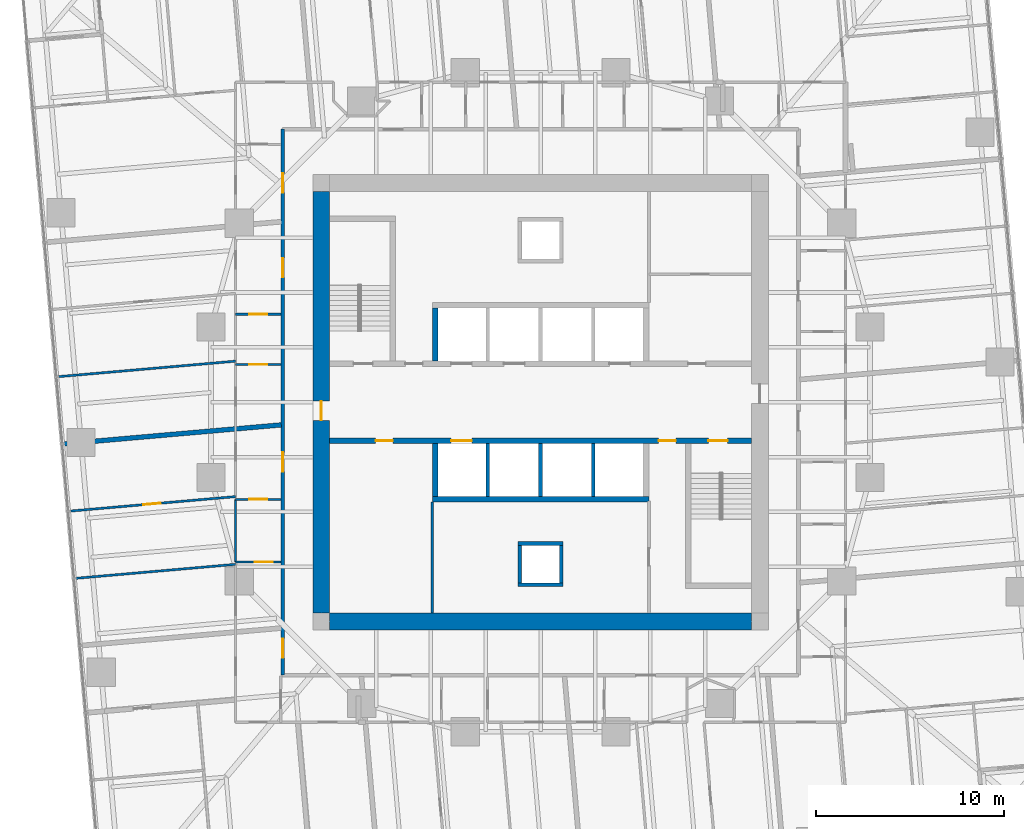
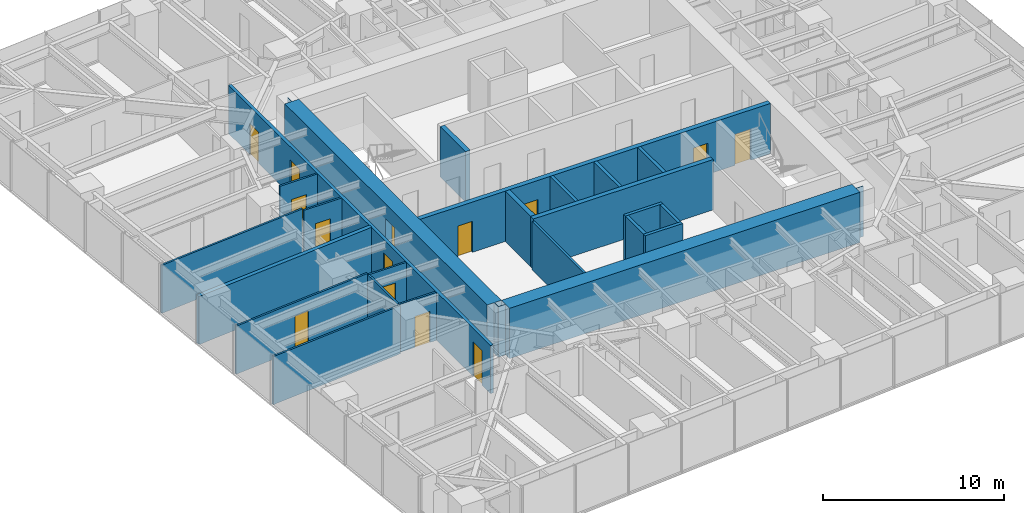
# One storey, part 9 of 14: 24 walls, 14 doors, 14 openings.
"""IFC4 building model written with IfcOpenShell, lengths in metres."""

from ifc_helpers import new_model, si_unit, direction, frame, frame_2d, origin, place, context, subcontext, project, spatial, polyline, rectangle, outline, extrude, material, layer, layer_set, type_object, element, fill, save


model = new_model("IFC4")

# Units and contexts
model_context = context("Model", 3, precision=1e-05, world=origin(), true_north=direction((0.0, 1.0)))
body_context = subcontext(model_context, "Body", "Model", "MODEL_VIEW")
ifc_project = project(units=[si_unit("LENGTHUNIT", "METRE"), si_unit("AREAUNIT", "SQUARE_METRE"), si_unit("VOLUMEUNIT", "CUBIC_METRE"), si_unit("PLANEANGLEUNIT", "RADIAN"), si_unit("MASSUNIT", "GRAM", prefix="KILO")], contexts=[model_context])

# Site, building, storey
site_placement = place(None, origin())
site = spatial("IfcSite", under=ifc_project, at=site_placement, CompositionType="ELEMENT")
building_placement = place(site_placement, origin())
building = spatial("IfcBuilding", under=site, at=building_placement, Name="Torsade Residences", CompositionType="ELEMENT")
storey_placement = place(building_placement, frame((0.0, 0.0, 57.39990234375)))
storey = spatial("IfcBuildingStorey", under=building, at=storey_placement, Name="L15", CompositionType="ELEMENT", Elevation=57.39990234375)

# Wall, openings, doors
ifc_material_1 = material(Name="Concrete 80 MPa", Category="concrete")
ifc_layer_1 = layer(ifc_material_1, 0.300048828125)
ifc_layer_set_1 = layer_set([ifc_layer_1], Name="Concrete 80 MPa")
wall_type_1 = type_object("IfcWallType", Name="CORE INTERNAL WALL 300", PredefinedType="SHEAR", material=ifc_layer_set_1)
wall_1_placement = place(storey_placement, frame((51.199951171875, 27.949951171875, 0.0), z_axis=(0.0, 0.0, 1.0), x_axis=(-1.0, 0.0, 0.0)))
wall_1 = element("IfcWall", 1, at=wall_1_placement, inside=storey, type_object=wall_type_1, Name="Core wall LS L15", PredefinedType="SHEAR", context=body_context, shape_type="SweptSolid", body=[
    extrude(rectangle(XDim=22.39990234375, YDim=0.300048828125, at=frame_2d((11.199951171875, 0.0))), origin(), (0.0, 0.0, 1.0), 3.400146484375),
])
opening_1_placement = place(wall_1_placement, frame((19.0400390625, 0.0, 0.0)))
opening_1 = element("IfcOpeningElement", 2, at=opening_1_placement, cuts=wall_1, Name="Opening D06", PredefinedType="OPENING", context=body_context, shape_type="SweptSolid", body=[
    extrude(rectangle(XDim=0.919921875, YDim=2.10009765625, at=frame_2d((0.4599609375, 1.050048828125))), frame((0.0, 0.159912109375, 0.0), z_axis=(0.0, -1.0, 0.0), x_axis=(1.0, 0.0, 0.0)), (0.0, 0.0, 1.0), 0.320068359375),
])
opening_2_placement = place(wall_1_placement, frame((1.264892578125, 0.0, 0.0)))
opening_2 = element("IfcOpeningElement", 3, at=opening_2_placement, cuts=wall_1, Name="Opening D03", PredefinedType="OPENING", context=body_context, shape_type="SweptSolid", body=[
    extrude(rectangle(XDim=1.02001953125, YDim=2.10009765625, at=frame_2d((0.510009765625, 1.050048828125))), frame((0.0, 0.159912109375, 0.0), z_axis=(0.0, -1.0, 0.0), x_axis=(1.0, 0.0, 0.0)), (0.0, 0.0, 1.0), 0.320068359375),
])
opening_3_placement = place(wall_1_placement, frame((4.014892578125, 0.0, 0.0)))
opening_3 = element("IfcOpeningElement", 4, at=opening_3_placement, cuts=wall_1, Name="Opening D06", PredefinedType="OPENING", context=body_context, shape_type="SweptSolid", body=[
    extrude(rectangle(XDim=0.919921875, YDim=2.10009765625, at=frame_2d((0.4599609375, 1.050048828125))), frame((0.0, 0.159912109375, 0.0), z_axis=(0.0, -1.0, 0.0), x_axis=(1.0, 0.0, 0.0)), (0.0, 0.0, 1.0), 0.320068359375),
])
opening_4_placement = place(wall_1_placement, frame((14.85009765625, 0.0, 0.0)))
opening_4 = element("IfcOpeningElement", 5, at=opening_4_placement, cuts=wall_1, Name="Opening LD", PredefinedType="OPENING", context=body_context, shape_type="SweptSolid", body=[
    extrude(rectangle(XDim=1.10009765625, YDim=2.10009765625, at=frame_2d((0.550048828125, 1.050048828125))), frame((0.0, 0.159912109375, 0.0), z_axis=(0.0, -1.0, 0.0), x_axis=(1.0, 0.0, 0.0)), (0.0, 0.0, 1.0), 0.320068359375),
])
ifc_material_2 = material(Name="Steel-framed fire door", Category="steel")
door_type_1 = type_object("IfcDoorType", Name="FIRE DOOR 1020", OperationType="NOTDEFINED", PredefinedType="DOOR", material=ifc_material_2)
door_1_placement = place(opening_2_placement, origin())
door_1 = element("IfcDoor", 6, at=door_1_placement, inside=storey, type_object=door_type_1, Name="Exit door to fire-isolated stair ST2 L15", OperationType="SINGLE_SWING_RIGHT", OverallHeight=2.10009765625, OverallWidth=1.02001953125, PredefinedType="DOOR", context=body_context, shape_type="SweptSolid", body=[
    extrude(rectangle(XDim=1.02001953125, YDim=2.10009765625, at=frame_2d((0.510009765625, 1.050048828125))), frame((0.0, 0.02490234375, 0.0), z_axis=(0.0, -1.0, 0.0), x_axis=(1.0, 0.0, 0.0)), (0.0, 0.0, 1.0), 0.050048828125),
])
fill(opening_2, door_1)
ifc_material_3 = material(Name="Steel-framed fire door", Category="steel")
door_type_2 = type_object("IfcDoorType", Name="FIRE DOOR 920", OperationType="NOTDEFINED", PredefinedType="DOOR", material=ifc_material_3)
door_2_placement = place(opening_1_placement, origin())
door_2 = element("IfcDoor", 7, at=door_2_placement, inside=storey, type_object=door_type_2, Name="Door Lift lobby to Cleaner store", OperationType="SINGLE_SWING_LEFT", OverallHeight=2.10009765625, OverallWidth=0.919921875, PredefinedType="DOOR", context=body_context, shape_type="SweptSolid", body=[
    extrude(rectangle(XDim=0.919921875, YDim=2.10009765625, at=frame_2d((0.4599609375, 1.050048828125))), frame((0.0, 0.02490234375, 0.0), z_axis=(0.0, -1.0, 0.0), x_axis=(1.0, 0.0, 0.0)), (0.0, 0.0, 1.0), 0.050048828125),
])
fill(opening_1, door_2)
door_3_placement = place(opening_3_placement, origin())
door_3 = element("IfcDoor", 8, at=door_3_placement, inside=storey, type_object=door_type_2, Name="Door Lift lobby to Security and data store", OperationType="SINGLE_SWING_RIGHT", OverallHeight=2.10009765625, OverallWidth=0.919921875, PredefinedType="DOOR", context=body_context, shape_type="SweptSolid", body=[
    extrude(rectangle(XDim=0.919921875, YDim=2.10009765625, at=frame_2d((0.4599609375, 1.050048828125))), frame((0.0, 0.02490234375, 0.0), z_axis=(0.0, -1.0, 0.0), x_axis=(1.0, 0.0, 0.0)), (0.0, 0.0, 1.0), 0.050048828125),
])
fill(opening_3, door_3)
ifc_material_4 = material(Name="Stainless steel lift landing door", Category="steel")
door_type_3 = type_object("IfcDoorType", Name="LIFT LANDING DOOR 1100", OperationType="SLIDING_TO_LEFT", PredefinedType="DOOR", material=ifc_material_4)
door_4_placement = place(opening_4_placement, origin())
door_4 = element("IfcDoor", 9, at=door_4_placement, inside=storey, type_object=door_type_3, Name="Lift FL2 landing door L15", OperationType="SLIDING_TO_LEFT", OverallHeight=2.10009765625, OverallWidth=1.10009765625, PredefinedType="DOOR", context=body_context, shape_type="SweptSolid", body=[
    extrude(rectangle(XDim=1.10009765625, YDim=2.10009765625, at=frame_2d((0.550048828125, 1.050048828125))), frame((0.0, 0.02490234375, 0.0), z_axis=(0.0, -1.0, 0.0), x_axis=(1.0, 0.0, 0.0)), (0.0, 0.0, 1.0), 0.050048828125),
])
fill(opening_4, door_4)

# Walls
wall_2_placement = place(storey_placement, frame((45.75, 24.85009765625, 0.0), z_axis=(0.0, 0.0, 1.0), x_axis=(-1.0, 0.0, 0.0)))
element("IfcWall", 10, at=wall_2_placement, inside=storey, type_object=wall_type_1, Name="Core wall BS L15", PredefinedType="SHEAR", context=body_context, shape_type="SweptSolid", body=[
    extrude(rectangle(XDim=11.5, YDim=0.300048828125, at=frame_2d((5.75, 0.0))), origin(), (0.0, 0.0, 1.0), 3.400146484375),
])
for number, where, z_axis, x_axis, name in (
    (11, (34.39990234375, 32.199951171875, 0.0), (0.0, 0.0, 1.0), (0.0, 1.0, 0.0), "Core wall DN0 L15"),
    (12, (34.39990234375, 27.800048828125, 0.0), (0.0, 0.0, 1.0), (0.0, -1.0, 0.0), "Core wall DS4 L15"),
):
    element("IfcWall", number, at=place(storey_placement, frame(where, z_axis=z_axis, x_axis=x_axis)), inside=storey, type_object=wall_type_1, Name=name, PredefinedType="SHEAR", context=body_context, shape_type="SweptSolid", body=[
        extrude(rectangle(XDim=2.800048828125, YDim=0.300048828125, at=frame_2d((1.39990234375, 0.0))), origin(), (0.0, 0.0, 1.0), 3.400146484375),
    ])
ifc_material_5 = material(Name="Concrete 80 MPa", Category="concrete")
ifc_layer_2 = layer(ifc_material_5, 0.89990234375)
ifc_layer_set_2 = layer_set([ifc_layer_2], Name="Concrete 80 MPa")
wall_type_2 = type_object("IfcWallType", Name="CORE WALL 900", PredefinedType="SHEAR", material=ifc_layer_set_2)
wall_3_placement = place(storey_placement, frame((51.199951171875, 18.35009765625, 0.0), z_axis=(0.0, 0.0, 1.0), x_axis=(-1.0, 0.0, 0.0)))
element("IfcWall", 13, at=wall_3_placement, inside=storey, type_object=wall_type_2, Name="Core wall S L15", PredefinedType="SHEAR", context=body_context, shape_type="SweptSolid", body=[
    extrude(outline(polyline([(0.0, -0.449951171875), (22.39990234375, -0.449951171875), (22.39990234375, -0.02490234375), (22.849853515625, -0.02490234375), (22.849853515625, 0.02490234375), (22.39990234375, 0.02490234375), (22.39990234375, 0.449951171875), (0.0, 0.449951171875), (0.0, 0.02490234375), (-0.449951171875, 0.02490234375), (-0.449951171875, -0.02490234375), (0.0, -0.02490234375), (0.0, -0.449951171875)])), origin(), (0.0, 0.0, 1.0), 3.400146484375),
])

# Wall, opening, door
wall_4_placement = place(storey_placement, frame((28.35009765625, 41.199951171875, 0.0), z_axis=(0.0, 0.0, 1.0), x_axis=(0.0, -1.0, 0.0)))
wall_4 = element("IfcWall", 14, at=wall_4_placement, inside=storey, type_object=wall_type_2, Name="Core wall W L15", PredefinedType="SHEAR", context=body_context, shape_type="SweptSolid", body=[
    extrude(outline(polyline([(0.0, -0.449951171875), (22.39990234375, -0.449951171875), (22.39990234375, -0.02490234375), (22.849853515625, -0.02490234375), (22.849853515625, 0.02490234375), (22.39990234375, 0.02490234375), (22.39990234375, 0.449951171875), (0.0, 0.449951171875), (0.0, 0.02490234375), (-0.449951171875, 0.02490234375), (-0.449951171875, -0.02490234375), (0.0, -0.02490234375), (0.0, -0.449951171875)])), origin(), (0.0, 0.0, 1.0), 3.400146484375),
])
opening_5_placement = place(wall_4_placement, frame((11.139892578125, 0.0, 0.0)))
opening_5 = element("IfcOpeningElement", 15, at=opening_5_placement, cuts=wall_4, Name="Opening D04", PredefinedType="OPENING", context=body_context, shape_type="SweptSolid", body=[
    extrude(rectangle(XDim=1.02001953125, YDim=2.39990234375, at=frame_2d((0.510009765625, 1.199951171875))), frame((0.0, 0.4599609375, 0.0), z_axis=(0.0, -1.0, 0.0), x_axis=(1.0, 0.0, 0.0)), (0.0, 0.0, 1.0), 0.919921875),
])
ifc_material_6 = material(Name="Steel-framed fire door", Category="steel")
door_type_4 = type_object("IfcDoorType", Name="LOBBY SMOKE DOOR 1020x2400", OperationType="NOTDEFINED", PredefinedType="DOOR", material=ifc_material_6)
door_5_placement = place(opening_5_placement, origin())
door_5 = element("IfcDoor", 16, at=door_5_placement, inside=storey, type_object=door_type_4, Name="Lift lobby door W L15", OperationType="SINGLE_SWING_RIGHT", OverallHeight=2.39990234375, OverallWidth=1.02001953125, PredefinedType="DOOR", context=body_context, shape_type="SweptSolid", body=[
    extrude(rectangle(XDim=1.02001953125, YDim=2.39990234375, at=frame_2d((0.510009765625, 1.199951171875))), frame((0.0, 0.02490234375, 0.0), z_axis=(0.0, -1.0, 0.0), x_axis=(1.0, 0.0, 0.0)), (0.0, 0.0, 1.0), 0.050048828125),
])
fill(opening_5, door_5)

# Wall, openings, doors
ifc_material_7 = material(Name="Plasterboard on steel stud", Category="steel")
ifc_layer_3 = layer(ifc_material_7, 0.199951171875)
ifc_layer_set_3 = layer_set([ifc_layer_3], Name="Plasterboard on steel stud")
wall_type_3 = type_object("IfcWallType", Name="CORRIDOR WALL 200", PredefinedType="PARTITIONING", material=ifc_layer_set_3)
wall_5_placement = place(storey_placement, frame((26.300048828125, 44.5, 0.0), z_axis=(0.0, 0.0, 1.0), x_axis=(0.0, -1.0, 0.0)))
wall_5 = element("IfcWall", 17, at=wall_5_placement, inside=storey, type_object=wall_type_3, Name="Corridor wall L15", PredefinedType="PARTITIONING", context=body_context, shape_type="SweptSolid", body=[
    extrude(rectangle(XDim=29.0, YDim=0.199951171875, at=frame_2d((14.5, 0.0))), origin(), (0.0, 0.0, 1.0), 3.25),
])
opening_6_placement = place(wall_5_placement, frame((6.849609375, 0.0, 0.0)))
opening_6 = element("IfcOpeningElement", 18, at=opening_6_placement, cuts=wall_5, Name="Opening D01", PredefinedType="OPENING", context=body_context, shape_type="SweptSolid", body=[
    extrude(rectangle(XDim=1.02001953125, YDim=2.340087890625, at=frame_2d((0.510009765625, 1.169921875))), frame((0.0, 0.10986328125, 0.0), z_axis=(0.0, -1.0, 0.0), x_axis=(1.0, 0.0, 0.0)), (0.0, 0.0, 1.0), 0.219970703125),
])
opening_7_placement = place(wall_5_placement, frame((2.344970703125, 0.0, 0.0)))
opening_7 = element("IfcOpeningElement", 19, at=opening_7_placement, cuts=wall_5, Name="Opening D01L", PredefinedType="OPENING", context=body_context, shape_type="SweptSolid", body=[
    extrude(rectangle(XDim=1.02001953125, YDim=2.10009765625, at=frame_2d((0.510009765625, 1.050048828125))), frame((0.0, 0.10986328125, 0.0), z_axis=(0.0, -1.0, 0.0), x_axis=(1.0, 0.0, 0.0)), (0.0, 0.0, 1.0), 0.219970703125),
])
opening_8_placement = place(wall_5_placement, frame((17.165771484375, 0.0, 0.0)))
opening_8 = element("IfcOpeningElement", 20, at=opening_8_placement, cuts=wall_5, Name="Opening D01", PredefinedType="OPENING", context=body_context, shape_type="SweptSolid", body=[
    extrude(rectangle(XDim=1.02001953125, YDim=2.340087890625, at=frame_2d((0.510009765625, 1.169921875))), frame((0.0, 0.10986328125, 0.0), z_axis=(0.0, -1.0, 0.0), x_axis=(1.0, 0.0, 0.0)), (0.0, 0.0, 1.0), 0.219970703125),
])
opening_9_placement = place(wall_5_placement, frame((27.054931640625, 0.0, 0.0)))
opening_9 = element("IfcOpeningElement", 21, at=opening_9_placement, cuts=wall_5, Name="Opening D01", PredefinedType="OPENING", context=body_context, shape_type="SweptSolid", body=[
    extrude(rectangle(XDim=1.02001953125, YDim=2.340087890625, at=frame_2d((0.510009765625, 1.169921875))), frame((0.0, 0.10986328125, 0.0), z_axis=(0.0, -1.0, 0.0), x_axis=(1.0, 0.0, 0.0)), (0.0, 0.0, 1.0), 0.219970703125),
])
ifc_material_8 = material(Name="Solid-core timber fire door", Category="wood")
door_type_5 = type_object("IfcDoorType", Name="APARTMENT ENTRY DOOR 1020x2100", OperationType="NOTDEFINED", PredefinedType="DOOR", material=ifc_material_8)
door_6_placement = place(opening_7_placement, origin())
door_6 = element("IfcDoor", 22, at=door_6_placement, inside=storey, type_object=door_type_5, Name="Door Residential corridor to Kitchen and dining", OperationType="SINGLE_SWING_LEFT", OverallHeight=2.10009765625, OverallWidth=1.02001953125, PredefinedType="DOOR", context=body_context, shape_type="SweptSolid", body=[
    extrude(rectangle(XDim=1.02001953125, YDim=2.10009765625, at=frame_2d((0.510009765625, 1.050048828125))), frame((0.0, 0.02490234375, 0.0), z_axis=(0.0, -1.0, 0.0), x_axis=(1.0, 0.0, 0.0)), (0.0, 0.0, 1.0), 0.050048828125),
])
fill(opening_7, door_6)
ifc_material_9 = material(Name="Solid-core timber fire door", Category="wood")
door_type_6 = type_object("IfcDoorType", Name="APARTMENT ENTRY DOOR 1020x2340", OperationType="NOTDEFINED", PredefinedType="DOOR", material=ifc_material_9)
door_7_placement = place(opening_6_placement, origin())
door_7 = element("IfcDoor", 23, at=door_7_placement, inside=storey, type_object=door_type_6, Name="Door Residential corridor to Kitchen and dining", OperationType="SINGLE_SWING_LEFT", OverallHeight=2.340087890625, OverallWidth=1.02001953125, PredefinedType="DOOR", context=body_context, shape_type="SweptSolid", body=[
    extrude(rectangle(XDim=1.02001953125, YDim=2.340087890625, at=frame_2d((0.510009765625, 1.169921875))), frame((0.0, 0.02490234375, 0.0), z_axis=(0.0, -1.0, 0.0), x_axis=(1.0, 0.0, 0.0)), (0.0, 0.0, 1.0), 0.050048828125),
])
fill(opening_6, door_7)
door_8_placement = place(opening_8_placement, origin())
door_8 = element("IfcDoor", 24, at=door_8_placement, inside=storey, type_object=door_type_6, Name="Door Residential corridor to Kitchen and dining", OperationType="SINGLE_SWING_LEFT", OverallHeight=2.340087890625, OverallWidth=1.02001953125, PredefinedType="DOOR", context=body_context, shape_type="SweptSolid", body=[
    extrude(rectangle(XDim=1.02001953125, YDim=2.340087890625, at=frame_2d((0.510009765625, 1.169921875))), frame((0.0, 0.02490234375, 0.0), z_axis=(0.0, -1.0, 0.0), x_axis=(1.0, 0.0, 0.0)), (0.0, 0.0, 1.0), 0.050048828125),
])
fill(opening_8, door_8)
door_9_placement = place(opening_9_placement, origin())
door_9 = element("IfcDoor", 25, at=door_9_placement, inside=storey, type_object=door_type_6, Name="Door Residential corridor to Kitchen and dining", OperationType="SINGLE_SWING_RIGHT", OverallHeight=2.340087890625, OverallWidth=1.02001953125, PredefinedType="DOOR", context=body_context, shape_type="SweptSolid", body=[
    extrude(rectangle(XDim=1.02001953125, YDim=2.340087890625, at=frame_2d((0.510009765625, 1.169921875))), frame((0.0, 0.02490234375, 0.0), z_axis=(0.0, -1.0, 0.0), x_axis=(1.0, 0.0, 0.0)), (0.0, 0.0, 1.0), 0.050048828125),
])
fill(opening_9, door_9)

# Walls
ifc_material_10 = material(Name="Reinforced blockwork", Category="masonry")
ifc_layer_4 = layer(ifc_material_10, 0.199951171875)
ifc_layer_set_4 = layer_set([ifc_layer_4], Name="Reinforced blockwork")
wall_type_4 = type_object("IfcWallType", Name="LIFT SHAFT DIVIDING WALL 200", PredefinedType="SOLIDWALL", material=ifc_layer_set_4)
for number, where, z_axis, x_axis, name in (
    (26, (42.800048828125, 27.800048828125, 0.0), (0.0, 0.0, 1.0), (0.0, -1.0, 0.0), "Core wall DS1 L15"),
    (27, (40.0, 27.800048828125, 0.0), (0.0, 0.0, 1.0), (0.0, -1.0, 0.0), "Core wall DS2 L15"),
    (28, (37.199951171875, 27.800048828125, 0.0), (0.0, 0.0, 1.0), (0.0, -1.0, 0.0), "Core wall DS3 L15"),
):
    element("IfcWall", number, at=place(storey_placement, frame(where, z_axis=z_axis, x_axis=x_axis)), inside=storey, type_object=wall_type_4, Name=name, PredefinedType="SOLIDWALL", context=body_context, shape_type="SweptSolid", body=[
        extrude(rectangle(XDim=2.800048828125, YDim=0.199951171875, at=frame_2d((1.39990234375, 0.0))), origin(), (0.0, 0.0, 1.0), 3.400146484375),
    ])

# Wall, opening, door
ifc_material_11 = material(Name="Plasterboard on steel stud", Category="steel")
ifc_layer_5 = layer(ifc_material_11, 0.1201171875)
ifc_layer_set_5 = layer_set([ifc_layer_5], Name="Plasterboard on steel stud")
wall_type_5 = type_object("IfcWallType", Name="PARTITION 120", PredefinedType="PARTITIONING", material=ifc_layer_set_5)
wall_6_placement = place(storey_placement, frame((26.199951171875, 24.837646484375, 0.0), z_axis=(0.0, 0.0, 1.0), x_axis=(-1.0, 0.0, 0.0)))
wall_6 = element("IfcWall", 29, at=wall_6_placement, inside=storey, type_object=wall_type_5, Name="Partition L15", PredefinedType="PARTITIONING", context=body_context, shape_type="SweptSolid", body=[
    extrude(rectangle(XDim=2.39990234375, YDim=0.1201171875, at=frame_2d((1.199951171875, 0.0))), origin(), (0.0, 0.0, 1.0), 3.25),
])
opening_10_placement = place(wall_6_placement, frame((0.719970703125, 0.0, 0.0)))
opening_10 = element("IfcOpeningElement", 30, at=opening_10_placement, cuts=wall_6, Name="Opening D05", PredefinedType="OPENING", context=body_context, shape_type="SweptSolid", body=[
    extrude(rectangle(XDim=0.9599609375, YDim=2.10009765625, at=frame_2d((0.47998046875, 1.050048828125))), frame((0.0, 0.070068359375, 0.0), z_axis=(0.0, -1.0, 0.0), x_axis=(1.0, 0.0, 0.0)), (0.0, 0.0, 1.0), 0.14013671875),
])
ifc_material_12 = material(Name="Hollow-core timber door in a steel cavity frame", Category="steel")
door_type_7 = type_object("IfcDoorType", Name="BATHROOM CAVITY SLIDING DOOR 960", OperationType="SLIDING_TO_LEFT", PredefinedType="DOOR", material=ifc_material_12)
door_10_placement = place(opening_10_placement, origin())
door_10 = element("IfcDoor", 31, at=door_10_placement, inside=storey, type_object=door_type_7, Name="Door Kitchen and dining to Ensuite", OperationType="SLIDING_TO_LEFT", OverallHeight=2.10009765625, OverallWidth=0.9599609375, PredefinedType="DOOR", context=body_context, shape_type="SweptSolid", body=[
    extrude(rectangle(XDim=0.9599609375, YDim=2.10009765625, at=frame_2d((0.47998046875, 1.050048828125))), frame((0.0, 0.02490234375, 0.0), z_axis=(0.0, -1.0, 0.0), x_axis=(1.0, 0.0, 0.0)), (0.0, 0.0, 1.0), 0.050048828125),
])
fill(opening_10, door_10)

wall_7_placement = place(storey_placement, frame((23.800048828125, 21.513916015625, 0.0), z_axis=(0.0, 0.0, 1.0), x_axis=(1.0, 0.0, 0.0)))
wall_7 = element("IfcWall", 32, at=wall_7_placement, inside=storey, type_object=wall_type_5, Name="Partition L15", PredefinedType="PARTITIONING", context=body_context, shape_type="SweptSolid", body=[
    extrude(rectangle(XDim=2.39990234375, YDim=0.1201171875, at=frame_2d((1.199951171875, 0.0))), origin(), (0.0, 0.0, 1.0), 3.25),
])
opening_11_placement = place(wall_7_placement, frame((1.02001953125, 0.0, 0.0)))
opening_11 = element("IfcOpeningElement", 33, at=opening_11_placement, cuts=wall_7, Name="Opening D05", PredefinedType="OPENING", context=body_context, shape_type="SweptSolid", body=[
    extrude(rectangle(XDim=0.9599609375, YDim=2.10009765625, at=frame_2d((0.47998046875, 1.050048828125))), frame((0.0, 0.070068359375, 0.0), z_axis=(0.0, -1.0, 0.0), x_axis=(1.0, 0.0, 0.0)), (0.0, 0.0, 1.0), 0.14013671875),
])
door_11_placement = place(opening_11_placement, origin())
door_11 = element("IfcDoor", 34, at=door_11_placement, inside=storey, type_object=door_type_7, Name="Door Ensuite to Bathroom", OperationType="SLIDING_TO_LEFT", OverallHeight=2.10009765625, OverallWidth=0.9599609375, PredefinedType="DOOR", context=body_context, shape_type="SweptSolid", body=[
    extrude(rectangle(XDim=0.9599609375, YDim=2.10009765625, at=frame_2d((0.47998046875, 1.050048828125))), frame((0.0, 0.02490234375, 0.0), z_axis=(0.0, -1.0, 0.0), x_axis=(1.0, 0.0, 0.0)), (0.0, 0.0, 1.0), 0.050048828125),
])
fill(opening_11, door_11)

# Wall
wall_8_placement = place(storey_placement, frame((23.800048828125, 21.513916015625, 0.0), z_axis=(0.0, 0.0, 1.0), x_axis=(0.0, 1.0, 0.0)))
element("IfcWall", 35, at=wall_8_placement, inside=storey, type_object=wall_type_5, Name="Partition L15", PredefinedType="PARTITIONING", context=body_context, shape_type="SweptSolid", body=[
    extrude(rectangle(XDim=3.32373046875, YDim=0.1201171875, at=frame_2d((1.661865234375, 0.0))), origin(), (0.0, 0.0, 1.0), 3.25),
])

# Wall, opening, door
wall_9_placement = place(storey_placement, frame((23.800048828125, 24.985595703125, 0.0), z_axis=(0.0, 0.0, 1.0), x_axis=(-0.996194045583, -0.087163200634, 0.0)))
wall_9 = element("IfcWall", 36, at=wall_9_placement, inside=storey, type_object=wall_type_5, Name="Partition L15", PredefinedType="PARTITIONING", context=body_context, shape_type="SweptSolid", body=[
    extrude(rectangle(XDim=8.884765625, YDim=0.1201171875, at=frame_2d((4.4423828125, 0.0))), origin(), (0.0, 0.0, 1.0), 3.25),
])
opening_12_placement = place(wall_9_placement, frame((4.002197265625, 0.0, 0.0)))
opening_12 = element("IfcOpeningElement", 37, at=opening_12_placement, cuts=wall_9, Name="Opening D02", PredefinedType="OPENING", context=body_context, shape_type="SweptSolid", body=[
    extrude(rectangle(XDim=0.919921875, YDim=2.340087890625, at=frame_2d((0.4599609375, 1.169921875))), frame((0.0, 0.070068359375, 0.0), z_axis=(0.0, -1.0, 0.0), x_axis=(1.0, 0.0, 0.0)), (0.0, 0.0, 1.0), 0.14013671875),
])
ifc_material_13 = material(Name="Hollow-core timber door", Category="wood")
door_type_8 = type_object("IfcDoorType", Name="INTERNAL DOOR 920x2340", OperationType="NOTDEFINED", PredefinedType="DOOR", material=ifc_material_13)
door_12_placement = place(opening_12_placement, origin())
door_12 = element("IfcDoor", 38, at=door_12_placement, inside=storey, type_object=door_type_8, Name="Door Living room to Bedroom 1", OperationType="SINGLE_SWING_RIGHT", OverallHeight=2.340087890625, OverallWidth=0.919921875, PredefinedType="DOOR", context=body_context, shape_type="SweptSolid", body=[
    extrude(rectangle(XDim=0.919921875, YDim=2.340087890625, at=frame_2d((0.4599609375, 1.169921875))), frame((0.0, 0.02490234375, 0.0), z_axis=(0.0, -1.0, 0.0), x_axis=(1.0, 0.0, 0.0)), (0.0, 0.0, 1.0), 0.050048828125),
])
fill(opening_12, door_12)

# Wall
wall_10_placement = place(storey_placement, frame((23.800048828125, 21.388671875, 0.0), z_axis=(0.0, 0.0, 1.0), x_axis=(-0.996194273991, -0.087160590107, 0.0)))
element("IfcWall", 39, at=wall_10_placement, inside=storey, type_object=wall_type_5, Name="Partition L15", PredefinedType="PARTITIONING", context=body_context, shape_type="SweptSolid", body=[
    extrude(rectangle(XDim=8.5712890625, YDim=0.1201171875, at=frame_2d((4.28564453125, 0.0))), origin(), (0.0, 0.0, 1.0), 3.25),
])

# Wall, opening, door
wall_11_placement = place(storey_placement, frame((26.199951171875, 34.678466796875, 0.0), z_axis=(0.0, 0.0, 1.0), x_axis=(-1.0, 0.0, 0.0)))
wall_11 = element("IfcWall", 40, at=wall_11_placement, inside=storey, type_object=wall_type_5, Name="Partition L15", PredefinedType="PARTITIONING", context=body_context, shape_type="SweptSolid", body=[
    extrude(rectangle(XDim=2.39990234375, YDim=0.1201171875, at=frame_2d((1.199951171875, 0.0))), origin(), (0.0, 0.0, 1.0), 3.25),
])
opening_13_placement = place(wall_11_placement, frame((0.719970703125, 0.0, 0.0)))
opening_13 = element("IfcOpeningElement", 41, at=opening_13_placement, cuts=wall_11, Name="Opening D05", PredefinedType="OPENING", context=body_context, shape_type="SweptSolid", body=[
    extrude(rectangle(XDim=0.9599609375, YDim=2.10009765625, at=frame_2d((0.47998046875, 1.050048828125))), frame((0.0, 0.070068359375, 0.0), z_axis=(0.0, -1.0, 0.0), x_axis=(1.0, 0.0, 0.0)), (0.0, 0.0, 1.0), 0.14013671875),
])
door_13_placement = place(opening_13_placement, origin())
door_13 = element("IfcDoor", 42, at=door_13_placement, inside=storey, type_object=door_type_7, Name="Door Kitchen and dining to Ensuite", OperationType="SLIDING_TO_LEFT", OverallHeight=2.10009765625, OverallWidth=0.9599609375, PredefinedType="DOOR", context=body_context, shape_type="SweptSolid", body=[
    extrude(rectangle(XDim=0.9599609375, YDim=2.10009765625, at=frame_2d((0.47998046875, 1.050048828125))), frame((0.0, 0.02490234375, 0.0), z_axis=(0.0, -1.0, 0.0), x_axis=(1.0, 0.0, 0.0)), (0.0, 0.0, 1.0), 0.050048828125),
])
fill(opening_13, door_13)

wall_12_placement = place(storey_placement, frame((23.800048828125, 32.003173828125, 0.0), z_axis=(0.0, 0.0, 1.0), x_axis=(1.0, 0.0, 0.0)))
wall_12 = element("IfcWall", 43, at=wall_12_placement, inside=storey, type_object=wall_type_5, Name="Partition L15", PredefinedType="PARTITIONING", context=body_context, shape_type="SweptSolid", body=[
    extrude(rectangle(XDim=2.39990234375, YDim=0.1201171875, at=frame_2d((1.199951171875, 0.0))), origin(), (0.0, 0.0, 1.0), 3.25),
])
opening_14_placement = place(wall_12_placement, frame((0.719970703125, 0.0, 0.0)))
opening_14 = element("IfcOpeningElement", 44, at=opening_14_placement, cuts=wall_12, Name="Opening D05", PredefinedType="OPENING", context=body_context, shape_type="SweptSolid", body=[
    extrude(rectangle(XDim=0.9599609375, YDim=2.10009765625, at=frame_2d((0.47998046875, 1.050048828125))), frame((0.0, 0.070068359375, 0.0), z_axis=(0.0, -1.0, 0.0), x_axis=(1.0, 0.0, 0.0)), (0.0, 0.0, 1.0), 0.14013671875),
])
door_14_placement = place(opening_14_placement, origin())
door_14 = element("IfcDoor", 45, at=door_14_placement, inside=storey, type_object=door_type_7, Name="Door Ensuite to Bathroom", OperationType="SLIDING_TO_LEFT", OverallHeight=2.10009765625, OverallWidth=0.9599609375, PredefinedType="DOOR", context=body_context, shape_type="SweptSolid", body=[
    extrude(rectangle(XDim=0.9599609375, YDim=2.10009765625, at=frame_2d((0.47998046875, 1.050048828125))), frame((0.0, 0.02490234375, 0.0), z_axis=(0.0, -1.0, 0.0), x_axis=(1.0, 0.0, 0.0)), (0.0, 0.0, 1.0), 0.050048828125),
])
fill(opening_14, door_14)

# Walls
wall_13_placement = place(storey_placement, frame((23.800048828125, 32.1796875, 0.0), z_axis=(0.0, 0.0, 1.0), x_axis=(-0.996193828936, -0.087165676674, 0.0)))
element("IfcWall", 46, at=wall_13_placement, inside=storey, type_object=wall_type_5, Name="Partition L15", PredefinedType="PARTITIONING", context=body_context, shape_type="SweptSolid", body=[
    extrude(rectangle(XDim=9.51171875, YDim=0.1201171875, at=frame_2d((4.755859375, 0.0))), origin(), (0.0, 0.0, 1.0), 3.25),
])
ifc_material_14 = material(Name="Masonry-lined stud party wall", Category="masonry")
ifc_layer_6 = layer(ifc_material_14, 0.25)
ifc_layer_set_6 = layer_set([ifc_layer_6], Name="Masonry-lined stud party wall")
wall_type_6 = type_object("IfcWallType", Name="PARTY WALL 250", PredefinedType="PARTITIONING", material=ifc_layer_set_6)
wall_14_placement = place(storey_placement, frame((14.596923828125, 27.777587890625, 0.0), z_axis=(0.0, 0.0, 1.0), x_axis=(0.996195419442, 0.087147497287, 0.0)))
element("IfcWall", 47, at=wall_14_placement, inside=storey, type_object=wall_type_6, Name="Party wall L15", PredefinedType="PARTITIONING", context=body_context, shape_type="SweptSolid", body=[
    extrude(rectangle(XDim=11.676513671875, YDim=0.25, at=frame_2d((5.83837890625, 0.0))), origin(), (0.0, 0.0, 1.0), 3.25),
])
ifc_material_15 = material(Name="Reinforced blockwork", Category="masonry")
ifc_layer_7 = layer(ifc_material_15, 0.199951171875)
ifc_layer_set_7 = layer_set([ifc_layer_7], Name="Reinforced blockwork")
wall_type_7 = type_object("IfcWallType", Name="RISER SHAFT WALL 200", PredefinedType="SOLIDWALL", material=ifc_layer_set_7)
for number, where, z_axis, x_axis, name in (
    (48, (38.89990234375, 22.39990234375, 0.0), (0.0, 0.0, 1.0), (0.0, -1.0, 0.0), "Core wall RS2a L15"),
    (49, (41.10009765625, 22.39990234375, 0.0), (0.0, 0.0, 1.0), (0.0, -1.0, 0.0), "Core wall RS2b L15"),
):
    element("IfcWall", number, at=place(storey_placement, frame(where, z_axis=z_axis, x_axis=x_axis)), inside=storey, type_object=wall_type_7, Name=name, PredefinedType="SOLIDWALL", context=body_context, shape_type="SweptSolid", body=[
        extrude(rectangle(XDim=2.0, YDim=0.199951171875, at=frame_2d((1.0, 0.0))), origin(), (0.0, 0.0, 1.0), 3.400146484375),
    ])
for number, where, z_axis, x_axis, name in (
    (50, (38.800048828125, 22.5, 0.0), (0.0, 0.0, 1.0), (1.0, 0.0, 0.0), "Core wall RS2c L15"),
    (51, (38.800048828125, 20.300048828125, 0.0), (0.0, 0.0, 1.0), (1.0, 0.0, 0.0), "Core wall RS2d L15"),
):
    element("IfcWall", number, at=place(storey_placement, frame(where, z_axis=z_axis, x_axis=x_axis)), inside=storey, type_object=wall_type_7, Name=name, PredefinedType="SOLIDWALL", context=body_context, shape_type="SweptSolid", body=[
        extrude(rectangle(XDim=2.39990234375, YDim=0.199951171875, at=frame_2d((1.199951171875, 0.0))), origin(), (0.0, 0.0, 1.0), 3.400146484375),
    ])
ifc_material_16 = material(Name="Reinforced blockwork", Category="masonry")
ifc_layer_8 = layer(ifc_material_16, 0.14990234375)
ifc_layer_set_8 = layer_set([ifc_layer_8], Name="Reinforced blockwork")
wall_type_8 = type_object("IfcWallType", Name="SERVICE ROOM WALL 150", PredefinedType="SOLIDWALL", material=ifc_layer_set_8)
wall_15_placement = place(storey_placement, frame((34.25, 18.800048828125, 0.0), z_axis=(0.0, 0.0, 1.0), x_axis=(0.0, 1.0, 0.0)))
element("IfcWall", 52, at=wall_15_placement, inside=storey, type_object=wall_type_8, Name="Service room wall L15", PredefinedType="SOLIDWALL", context=body_context, shape_type="SweptSolid", body=[
    extrude(rectangle(XDim=5.89990234375, YDim=0.14990234375, at=frame_2d((2.949951171875, 0.0))), origin(), (0.0, 0.0, 1.0), 3.25),
])

save(model, "model.ifc")
